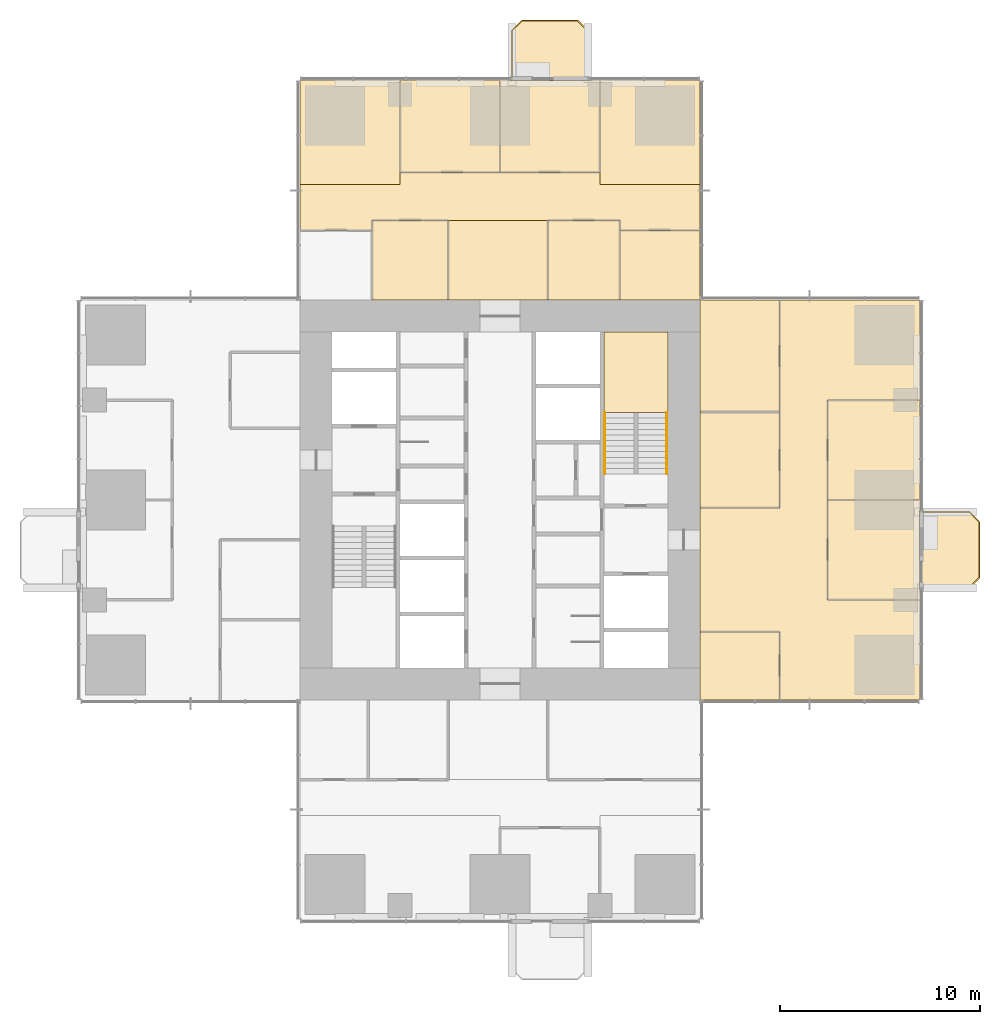
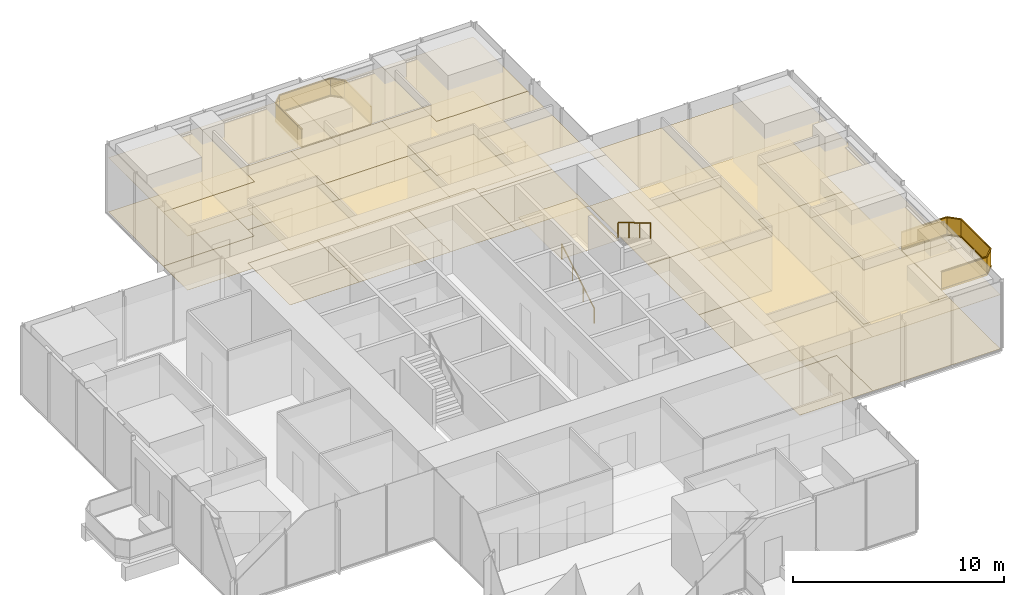
# One storey, part 13 of 14: 33 coverings, 4 railings.
"""IFC4 building model written with IfcOpenShell, lengths in metres."""

from ifc_helpers import new_model, si_unit, direction, frame, origin, origin_2d, place, context, subcontext, project, spatial, polyline, rectangle, circle, outline, extrude, material, layer, layer_set, type_object, element, save


model = new_model("IFC4")

# Units and contexts
model_context = context("Model", 3, precision=1e-05, world=origin(), true_north=direction((0.0, 1.0)))
body_context = subcontext(model_context, "Body", "Model", "MODEL_VIEW")
ifc_project = project(units=[si_unit("LENGTHUNIT", "METRE"), si_unit("AREAUNIT", "SQUARE_METRE"), si_unit("VOLUMEUNIT", "CUBIC_METRE"), si_unit("PLANEANGLEUNIT", "RADIAN"), si_unit("MASSUNIT", "GRAM", prefix="KILO")], contexts=[model_context])

# Site, building, storey
site_placement = place(None, origin())
site = spatial("IfcSite", under=ifc_project, at=site_placement, CompositionType="ELEMENT")
building_placement = place(site_placement, origin())
building = spatial("IfcBuilding", under=site, at=building_placement, Name="Svetlomir Tower", CompositionType="ELEMENT")
storey_placement = place(building_placement, frame((0.0, 0.0, 104.5)))
storey = spatial("IfcBuildingStorey", under=building, at=storey_placement, Name="L24", CompositionType="ELEMENT", Elevation=104.5)

# Railings
ifc_material_1 = material(Name="Bronze anodised aluminium and laminated glass", Category="aluminium")
railing_type_1 = type_object("IfcRailingType", Name="BALCONY GUARD GR1 1100", PredefinedType="GUARDRAIL", material=ifc_material_1)
railing_1_placement = place(storey_placement, frame((42.0, 16.60009765625, 0.0)))
element("IfcRailing", 1, at=railing_1_placement, inside=storey, type_object=railing_type_1, Name="Balcony guard E L24", PredefinedType="GUARDRAIL", context=body_context, shape_type="SweptSolid", body=[
    extrude(rectangle(XDim=0.06005859375, YDim=0.10009765625, at=origin_2d()), frame((0.0, 0.0, 0.050048828125), z_axis=(1.0, 0.0, 0.0), x_axis=(0.0, 1.0, 0.0)), (0.0, 0.0, 1.0), 2.5),
    extrude(rectangle(XDim=0.021484375, YDim=0.960205078125, at=origin_2d()), frame((0.0, 0.0, 0.580078125), z_axis=(1.0, 0.0, 0.0), x_axis=(0.0, 1.0, 0.0)), (0.0, 0.0, 1.0), 2.5),
    extrude(rectangle(XDim=0.06005859375, YDim=0.0400390625, at=origin_2d()), frame((0.0, 0.0, 1.080078125), z_axis=(1.0, 0.0, 0.0), x_axis=(0.0, 1.0, 0.0)), (0.0, 0.0, 1.0), 2.5),
    extrude(rectangle(XDim=0.06005859375, YDim=0.10009765625, at=origin_2d()), frame((2.5, 0.0, 0.050048828125), z_axis=(0.707106781187, 0.707106781187, 0.0), x_axis=(-0.707106781187, 0.707106781187, 0.0)), (0.0, 0.0, 1.0), 0.70703125),
    extrude(rectangle(XDim=0.021484375, YDim=0.960205078125, at=origin_2d()), frame((2.5, 0.0, 0.580078125), z_axis=(0.707106781187, 0.707106781187, 0.0), x_axis=(-0.707106781187, 0.707106781187, 0.0)), (0.0, 0.0, 1.0), 0.70703125),
    extrude(rectangle(XDim=0.06005859375, YDim=0.0400390625, at=origin_2d()), frame((2.5, 0.0, 1.080078125), z_axis=(0.707106781187, 0.707106781187, 0.0), x_axis=(-0.707106781187, 0.707106781187, 0.0)), (0.0, 0.0, 1.0), 0.70703125),
    extrude(rectangle(XDim=0.06005859375, YDim=0.10009765625, at=origin_2d()), frame((3.0, 0.5, 0.050048828125), z_axis=(0.0, 1.0, 0.0), x_axis=(-1.0, 0.0, 0.0)), (0.0, 0.0, 1.0), 2.7998046875),
    extrude(rectangle(XDim=0.021484375, YDim=0.960205078125, at=origin_2d()), frame((3.0, 0.5, 0.580078125), z_axis=(0.0, 1.0, 0.0), x_axis=(-1.0, 0.0, 0.0)), (0.0, 0.0, 1.0), 2.7998046875),
    extrude(rectangle(XDim=0.06005859375, YDim=0.0400390625, at=origin_2d()), frame((3.0, 0.5, 1.080078125), z_axis=(0.0, 1.0, 0.0), x_axis=(-1.0, 0.0, 0.0)), (0.0, 0.0, 1.0), 2.7998046875),
    extrude(rectangle(XDim=0.06005859375, YDim=0.10009765625, at=origin_2d()), frame((3.0, 3.2998046875, 0.050048828125), z_axis=(-0.707106781187, 0.707106781187, 0.0), x_axis=(-0.707106781187, -0.707106781187, 0.0)), (0.0, 0.0, 1.0), 0.70703125),
    extrude(rectangle(XDim=0.021484375, YDim=0.960205078125, at=origin_2d()), frame((3.0, 3.2998046875, 0.580078125), z_axis=(-0.707106781187, 0.707106781187, 0.0), x_axis=(-0.707106781187, -0.707106781187, 0.0)), (0.0, 0.0, 1.0), 0.70703125),
    extrude(rectangle(XDim=0.06005859375, YDim=0.0400390625, at=origin_2d()), frame((3.0, 3.2998046875, 1.080078125), z_axis=(-0.707106781187, 0.707106781187, 0.0), x_axis=(-0.707106781187, -0.707106781187, 0.0)), (0.0, 0.0, 1.0), 0.70703125),
    extrude(rectangle(XDim=0.06005859375, YDim=0.10009765625, at=origin_2d()), frame((2.5, 3.7998046875, 0.050048828125), z_axis=(-1.0, 0.0, 0.0), x_axis=(0.0, -1.0, 0.0)), (0.0, 0.0, 1.0), 2.5),
    extrude(rectangle(XDim=0.021484375, YDim=0.960205078125, at=origin_2d()), frame((2.5, 3.7998046875, 0.580078125), z_axis=(-1.0, 0.0, 0.0), x_axis=(0.0, -1.0, 0.0)), (0.0, 0.0, 1.0), 2.5),
    extrude(rectangle(XDim=0.06005859375, YDim=0.0400390625, at=origin_2d()), frame((2.5, 3.7998046875, 1.080078125), z_axis=(-1.0, 0.0, 0.0), x_axis=(0.0, -1.0, 0.0)), (0.0, 0.0, 1.0), 2.5),
])
railing_2_placement = place(storey_placement, frame((25.39990234375, 42.0, 0.0)))
element("IfcRailing", 2, at=railing_2_placement, inside=storey, type_object=railing_type_1, Name="Balcony guard N L24", PredefinedType="GUARDRAIL", context=body_context, shape_type="SweptSolid", body=[
    extrude(rectangle(XDim=0.06005859375, YDim=0.10009765625, at=origin_2d()), frame((0.0, 0.0, 0.050048828125), z_axis=(0.0, 1.0, 0.0), x_axis=(-1.0, 0.0, 0.0)), (0.0, 0.0, 1.0), 2.5),
    extrude(rectangle(XDim=0.021484375, YDim=0.960205078125, at=origin_2d()), frame((0.0, 0.0, 0.580078125), z_axis=(0.0, 1.0, 0.0), x_axis=(-1.0, 0.0, 0.0)), (0.0, 0.0, 1.0), 2.5),
    extrude(rectangle(XDim=0.06005859375, YDim=0.0400390625, at=origin_2d()), frame((0.0, 0.0, 1.080078125), z_axis=(0.0, 1.0, 0.0), x_axis=(-1.0, 0.0, 0.0)), (0.0, 0.0, 1.0), 2.5),
    extrude(rectangle(XDim=0.06005859375, YDim=0.10009765625, at=origin_2d()), frame((0.0, 2.5, 0.050048828125), z_axis=(-0.707106781187, 0.707106781187, 0.0), x_axis=(-0.707106781187, -0.707106781187, 0.0)), (0.0, 0.0, 1.0), 0.70703125),
    extrude(rectangle(XDim=0.021484375, YDim=0.960205078125, at=origin_2d()), frame((0.0, 2.5, 0.580078125), z_axis=(-0.707106781187, 0.707106781187, 0.0), x_axis=(-0.707106781187, -0.707106781187, 0.0)), (0.0, 0.0, 1.0), 0.70703125),
    extrude(rectangle(XDim=0.06005859375, YDim=0.0400390625, at=origin_2d()), frame((0.0, 2.5, 1.080078125), z_axis=(-0.707106781187, 0.707106781187, 0.0), x_axis=(-0.707106781187, -0.707106781187, 0.0)), (0.0, 0.0, 1.0), 0.70703125),
    extrude(rectangle(XDim=0.06005859375, YDim=0.10009765625, at=origin_2d()), frame((-0.5, 3.0, 0.050048828125), z_axis=(-1.0, 0.0, 0.0), x_axis=(0.0, -1.0, 0.0)), (0.0, 0.0, 1.0), 2.7998046875),
    extrude(rectangle(XDim=0.021484375, YDim=0.960205078125, at=origin_2d()), frame((-0.5, 3.0, 0.580078125), z_axis=(-1.0, 0.0, 0.0), x_axis=(0.0, -1.0, 0.0)), (0.0, 0.0, 1.0), 2.7998046875),
    extrude(rectangle(XDim=0.06005859375, YDim=0.0400390625, at=origin_2d()), frame((-0.5, 3.0, 1.080078125), z_axis=(-1.0, 0.0, 0.0), x_axis=(0.0, -1.0, 0.0)), (0.0, 0.0, 1.0), 2.7998046875),
    extrude(rectangle(XDim=0.06005859375, YDim=0.10009765625, at=origin_2d()), frame((-3.2998046875, 3.0, 0.050048828125), z_axis=(-0.707106781187, -0.707106781187, 0.0), x_axis=(0.707106781187, -0.707106781187, 0.0)), (0.0, 0.0, 1.0), 0.70703125),
    extrude(rectangle(XDim=0.021484375, YDim=0.960205078125, at=origin_2d()), frame((-3.2998046875, 3.0, 0.580078125), z_axis=(-0.707106781187, -0.707106781187, 0.0), x_axis=(0.707106781187, -0.707106781187, 0.0)), (0.0, 0.0, 1.0), 0.70703125),
    extrude(rectangle(XDim=0.06005859375, YDim=0.0400390625, at=origin_2d()), frame((-3.2998046875, 3.0, 1.080078125), z_axis=(-0.707106781187, -0.707106781187, 0.0), x_axis=(0.707106781187, -0.707106781187, 0.0)), (0.0, 0.0, 1.0), 0.70703125),
    extrude(rectangle(XDim=0.06005859375, YDim=0.10009765625, at=origin_2d()), frame((-3.7998046875, 2.5, 0.050048828125), z_axis=(0.0, -1.0, 0.0), x_axis=(1.0, 0.0, 0.0)), (0.0, 0.0, 1.0), 2.5),
    extrude(rectangle(XDim=0.021484375, YDim=0.960205078125, at=origin_2d()), frame((-3.7998046875, 2.5, 0.580078125), z_axis=(0.0, -1.0, 0.0), x_axis=(1.0, 0.0, 0.0)), (0.0, 0.0, 1.0), 2.5),
    extrude(rectangle(XDim=0.06005859375, YDim=0.0400390625, at=origin_2d()), frame((-3.7998046875, 2.5, 1.080078125), z_axis=(0.0, -1.0, 0.0), x_axis=(1.0, 0.0, 0.0)), (0.0, 0.0, 1.0), 2.5),
])

# Coverings
ifc_material_2 = material(Name="Granite paving slabs on pedestals", Category="masonry")
ifc_layer_1 = layer(ifc_material_2, 0.0400390625)
ifc_layer_set_1 = layer_set([ifc_layer_1], Name="Granite paving slabs on pedestals")
covering_type_1 = type_object("IfcCoveringType", Name="BALCONY PAVING 40", PredefinedType="USERDEFINED", material=ifc_layer_set_1)
covering_1_placement = place(storey_placement, origin())
element("IfcCovering", 3, at=covering_1_placement, inside=storey, type_object=covering_type_1, Name="Balcony paving E L24", ObjectType="BALCONY PAVING", PredefinedType="USERDEFINED", context=body_context, shape_type="SweptSolid", body=[
    extrude(outline(polyline([(42.0, 16.60009765625), (44.5, 16.60009765625), (45.0, 17.10009765625), (45.0, 19.89990234375), (44.5, 20.39990234375), (42.0, 20.39990234375), (42.0, 16.60009765625)])), origin(), (0.0, 0.0, 1.0), 0.0400390625),
])
covering_2_placement = place(storey_placement, origin())
element("IfcCovering", 4, at=covering_2_placement, inside=storey, type_object=covering_type_1, Name="Balcony paving N L24", ObjectType="BALCONY PAVING", PredefinedType="USERDEFINED", context=body_context, shape_type="SweptSolid", body=[
    extrude(outline(polyline([(21.60009765625, 42.0), (25.39990234375, 42.0), (25.39990234375, 44.5), (24.89990234375, 45.0), (22.10009765625, 45.0), (21.60009765625, 44.5), (21.60009765625, 42.0)])), origin(), (0.0, 0.0, 1.0), 0.0400390625),
])
ifc_material_3 = material(Name="Carpet tile", Category="textile")
ifc_layer_2 = layer(ifc_material_3, 0.010009765625)
ifc_layer_set_2 = layer_set([ifc_layer_2], Name="Carpet tile")
covering_type_2 = type_object("IfcCoveringType", Name="CARPET TILE FLOOR 10", PredefinedType="FLOORING", material=ifc_layer_set_2)
covering_3_placement = place(storey_placement, origin())
element("IfcCovering", 5, at=covering_3_placement, inside=storey, type_object=covering_type_2, Name="Floor finish L24-19", PredefinedType="FLOORING", context=body_context, shape_type="SweptSolid", body=[
    extrude(outline(polyline([(31.0, 11.0), (35.0, 11.0), (35.0, 14.39990234375), (31.0, 14.39990234375), (31.0, 11.0)])), origin(), (0.0, 0.0, 1.0), 0.010009765625),
])
covering_4_placement = place(storey_placement, origin())
element("IfcCovering", 6, at=covering_4_placement, inside=storey, type_object=covering_type_2, Name="Floor finish L24-20", PredefinedType="FLOORING", context=body_context, shape_type="SweptSolid", body=[
    extrude(outline(polyline([(31.0, 20.60009765625), (35.0, 20.60009765625), (35.0, 25.39990234375), (31.0, 25.39990234375), (31.0, 20.60009765625)])), origin(), (0.0, 0.0, 1.0), 0.010009765625),
])
covering_5_placement = place(storey_placement, origin())
element("IfcCovering", 7, at=covering_5_placement, inside=storey, type_object=covering_type_2, Name="Floor finish L24-21", PredefinedType="FLOORING", context=body_context, shape_type="SweptSolid", body=[
    extrude(outline(polyline([(31.0, 25.39990234375), (35.0, 25.39990234375), (35.0, 31.0), (31.0, 31.0), (31.0, 25.39990234375)])), origin(), (0.0, 0.0, 1.0), 0.010009765625),
])
covering_6_placement = place(storey_placement, origin())
element("IfcCovering", 8, at=covering_6_placement, inside=storey, type_object=covering_type_2, Name="Floor finish L24-22", PredefinedType="FLOORING", context=body_context, shape_type="SweptSolid", body=[
    extrude(outline(polyline([(37.39990234375, 16.0), (42.0, 16.0), (42.0, 21.0), (37.39990234375, 21.0), (37.39990234375, 16.0)])), origin(), (0.0, 0.0, 1.0), 0.010009765625),
])
covering_7_placement = place(storey_placement, origin())
element("IfcCovering", 9, at=covering_7_placement, inside=storey, type_object=covering_type_2, Name="Floor finish L24-23", PredefinedType="FLOORING", context=body_context, shape_type="SweptSolid", body=[
    extrude(outline(polyline([(37.39990234375, 21.0), (42.0, 21.0), (42.0, 26.0), (37.39990234375, 26.0), (37.39990234375, 21.0)])), origin(), (0.0, 0.0, 1.0), 0.010009765625),
])
covering_8_placement = place(storey_placement, origin())
element("IfcCovering", 10, at=covering_8_placement, inside=storey, type_object=covering_type_2, Name="Floor finish L24-25", PredefinedType="FLOORING", context=body_context, shape_type="SweptSolid", body=[
    extrude(outline(polyline([(14.60009765625, 31.0), (18.39990234375, 31.0), (18.39990234375, 35.0), (14.60009765625, 35.0), (14.60009765625, 31.0)])), origin(), (0.0, 0.0, 1.0), 0.010009765625),
])
covering_9_placement = place(storey_placement, origin())
element("IfcCovering", 11, at=covering_9_placement, inside=storey, type_object=covering_type_2, Name="Floor finish L24-26", PredefinedType="FLOORING", context=body_context, shape_type="SweptSolid", body=[
    extrude(outline(polyline([(23.39990234375, 31.0), (27.0, 31.0), (27.0, 35.0), (23.39990234375, 35.0), (23.39990234375, 31.0)])), origin(), (0.0, 0.0, 1.0), 0.010009765625),
])
covering_10_placement = place(storey_placement, origin())
element("IfcCovering", 12, at=covering_10_placement, inside=storey, type_object=covering_type_2, Name="Floor finish L24-27", PredefinedType="FLOORING", context=body_context, shape_type="SweptSolid", body=[
    extrude(outline(polyline([(27.0, 31.0), (31.0, 31.0), (31.0, 34.5), (27.0, 34.5), (27.0, 31.0)])), origin(), (0.0, 0.0, 1.0), 0.010009765625),
])
covering_11_placement = place(storey_placement, origin())
element("IfcCovering", 13, at=covering_11_placement, inside=storey, type_object=covering_type_2, Name="Floor finish L24-28", PredefinedType="FLOORING", context=body_context, shape_type="SweptSolid", body=[
    extrude(outline(polyline([(16.0, 37.39990234375), (21.0, 37.39990234375), (21.0, 42.0), (16.0, 42.0), (16.0, 37.39990234375)])), origin(), (0.0, 0.0, 1.0), 0.010009765625),
])
covering_12_placement = place(storey_placement, origin())
element("IfcCovering", 14, at=covering_12_placement, inside=storey, type_object=covering_type_2, Name="Floor finish L24-29", PredefinedType="FLOORING", context=body_context, shape_type="SweptSolid", body=[
    extrude(outline(polyline([(21.0, 37.39990234375), (26.0, 37.39990234375), (26.0, 42.0), (21.0, 42.0), (21.0, 37.39990234375)])), origin(), (0.0, 0.0, 1.0), 0.010009765625),
])
covering_13_placement = place(storey_placement, origin())
element("IfcCovering", 15, at=covering_13_placement, inside=storey, type_object=covering_type_2, Name="Floor finish L24-36", PredefinedType="FLOORING", context=body_context, shape_type="SweptSolid", body=[
    extrude(outline(polyline([(14.60009765625, 34.5), (11.0, 34.5), (11.0, 36.800048828125), (16.0, 36.800048828125), (16.0, 37.39990234375), (26.0, 37.39990234375), (26.0, 36.800048828125), (31.0, 36.800048828125), (31.0, 34.5), (27.0, 34.5), (27.0, 35.0), (14.60009765625, 35.0), (14.60009765625, 34.5)])), origin(), (0.0, 0.0, 1.0), 0.010009765625),
])
covering_14_placement = place(storey_placement, origin())
element("IfcCovering", 16, at=covering_14_placement, inside=storey, type_object=covering_type_2, Name="Floor finish L24-40", PredefinedType="FLOORING", context=body_context, shape_type="SweptSolid", body=[
    extrude(outline(polyline([(35.0, 14.39990234375), (31.0, 14.39990234375), (31.0, 20.60009765625), (35.0, 20.60009765625), (35.0, 31.0), (42.0, 31.0), (42.0, 26.0), (37.39990234375, 26.0), (37.39990234375, 16.0), (42.0, 16.0), (42.0, 11.0), (35.0, 11.0), (35.0, 14.39990234375)])), origin(), (0.0, 0.0, 1.0), 0.010009765625),
])
covering_15_placement = place(storey_placement, origin())
element("IfcCovering", 17, at=covering_15_placement, inside=storey, type_object=covering_type_2, Name="Floor finish L24-41", PredefinedType="FLOORING", context=body_context, shape_type="SweptSolid", body=[
    extrude(outline(polyline([(26.0, 36.800048828125), (26.0, 42.0), (31.0, 42.0), (31.0, 36.800048828125), (26.0, 36.800048828125)])), origin(), (0.0, 0.0, 1.0), 0.010009765625),
])
covering_16_placement = place(storey_placement, origin())
element("IfcCovering", 18, at=covering_16_placement, inside=storey, type_object=covering_type_2, Name="Floor finish L24-42", PredefinedType="FLOORING", context=body_context, shape_type="SweptSolid", body=[
    extrude(outline(polyline([(18.39990234375, 31.0), (18.39990234375, 35.0), (23.39990234375, 35.0), (23.39990234375, 31.0), (18.39990234375, 31.0)])), origin(), (0.0, 0.0, 1.0), 0.010009765625),
])
covering_17_placement = place(storey_placement, origin())
element("IfcCovering", 19, at=covering_17_placement, inside=storey, type_object=covering_type_2, Name="Floor finish L24-43", PredefinedType="FLOORING", context=body_context, shape_type="SweptSolid", body=[
    extrude(outline(polyline([(16.0, 42.0), (16.0, 36.800048828125), (11.0, 36.800048828125), (11.0, 42.0), (16.0, 42.0)])), origin(), (0.0, 0.0, 1.0), 0.010009765625),
])

# Railings
ifc_material_4 = material(Name="Stainless steel", Category="steel")
railing_type_2 = type_object("IfcRailingType", Name="HANDRAIL HR1 900", PredefinedType="HANDRAIL", material=ifc_material_4)
railing_3_placement = place(storey_placement, frame((26.25, 22.300048828125, 0.166748046875)))
element("IfcRailing", 20, at=railing_3_placement, inside=storey, type_object=railing_type_2, Name="Handrail S2 flight 1 L24", PredefinedType="HANDRAIL", context=body_context, shape_type="SweptSolid", body=[
    extrude(circle(Radius=0.02392578125, at=origin_2d()), frame((0.0, 0.0, 0.8759765625), z_axis=(0.0, 0.859290745958, 0.51148745235), x_axis=(-1.0, 0.0, 0.0)), (0.0, 0.0, 1.0), 3.584228515625),
    extrude(circle(Radius=0.02099609375, at=origin_2d()), origin(), (0.0, 0.0, 1.0), 0.851806640625),
    extrude(circle(Radius=0.02099609375, at=origin_2d()), frame((0.0, 1.026611328125, 0.611083984375)), (0.0, 0.0, 1.0), 0.851806640625),
    extrude(circle(Radius=0.02099609375, at=origin_2d()), frame((0.0, 2.05322265625, 1.22216796875)), (0.0, 0.0, 1.0), 0.851806640625),
    extrude(circle(Radius=0.02099609375, at=origin_2d()), frame((0.0, 3.079833984375, 1.833251953125)), (0.0, 0.0, 1.0), 0.851806640625),
])
railing_4_placement = place(storey_placement, frame((29.35009765625, 25.3798828125, 2.166748046875)))
element("IfcRailing", 21, at=railing_4_placement, inside=storey, type_object=railing_type_2, Name="Handrail S2 flight 2 L24", PredefinedType="HANDRAIL", context=body_context, shape_type="SweptSolid", body=[
    extrude(circle(Radius=0.02392578125, at=origin_2d()), frame((0.0, 0.0, 0.8759765625), z_axis=(0.0, -0.859290745958, 0.51148745235), x_axis=(1.0, 0.0, 0.0)), (0.0, 0.0, 1.0), 3.584228515625),
    extrude(circle(Radius=0.02099609375, at=origin_2d()), origin(), (0.0, 0.0, 1.0), 0.851806640625),
    extrude(circle(Radius=0.02099609375, at=origin_2d()), frame((0.0, -1.026611328125, 0.611083984375)), (0.0, 0.0, 1.0), 0.851806640625),
    extrude(circle(Radius=0.02099609375, at=origin_2d()), frame((0.0, -2.05322265625, 1.22216796875)), (0.0, 0.0, 1.0), 0.851806640625),
    extrude(circle(Radius=0.02099609375, at=origin_2d()), frame((0.0, -3.079833984375, 1.833251953125)), (0.0, 0.0, 1.0), 0.851806640625),
])

# Coverings
ifc_material_5 = material(Name="Studded rubber floor finish", Category="rubber")
ifc_layer_3 = layer(ifc_material_5, 0.006103515625)
ifc_layer_set_3 = layer_set([ifc_layer_3], Name="Studded rubber floor finish")
covering_type_3 = type_object("IfcCoveringType", Name="RUBBER LANDING FINISH 6", PredefinedType="FLOORING", material=ifc_layer_set_3)
covering_18_placement = place(storey_placement, frame((0.0, 0.0, 2.0)))
element("IfcCovering", 22, at=covering_18_placement, inside=storey, type_object=covering_type_3, Name="Stair S2 landing finish L24", PredefinedType="FLOORING", context=body_context, shape_type="SweptSolid", body=[
    extrude(outline(polyline([(26.199951171875, 25.3798828125), (29.39990234375, 25.3798828125), (29.39990234375, 29.39990234375), (26.199951171875, 29.39990234375), (26.199951171875, 25.3798828125)])), origin(), (0.0, 0.0, 1.0), 0.006103515625),
])
ifc_material_6 = material(Name="Mineral fibre ceiling tile", Category="mineral")
ifc_layer_4 = layer(ifc_material_6, 0.02001953125)
ifc_layer_set_4 = layer_set([ifc_layer_4], Name="Mineral fibre ceiling tile")
covering_type_4 = type_object("IfcCoveringType", Name="SUSPENDED CEILING 20", PredefinedType="CEILING", material=ifc_layer_set_4)
covering_19_placement = place(storey_placement, frame((0.0, 0.0, 3.1298828125)))
element("IfcCovering", 23, at=covering_19_placement, inside=storey, type_object=covering_type_4, Name="Ceiling L24-19", PredefinedType="CEILING", context=body_context, shape_type="SweptSolid", body=[
    extrude(outline(polyline([(31.0, 11.0), (35.0, 11.0), (35.0, 14.39990234375), (31.0, 14.39990234375), (31.0, 11.0)])), origin(), (0.0, 0.0, 1.0), 0.02001953125),
])
covering_20_placement = place(storey_placement, frame((0.0, 0.0, 3.1298828125)))
element("IfcCovering", 24, at=covering_20_placement, inside=storey, type_object=covering_type_4, Name="Ceiling L24-20", PredefinedType="CEILING", context=body_context, shape_type="SweptSolid", body=[
    extrude(outline(polyline([(31.0, 20.60009765625), (35.0, 20.60009765625), (35.0, 25.39990234375), (31.0, 25.39990234375), (31.0, 20.60009765625)])), origin(), (0.0, 0.0, 1.0), 0.02001953125),
])
covering_21_placement = place(storey_placement, frame((0.0, 0.0, 3.1298828125)))
element("IfcCovering", 25, at=covering_21_placement, inside=storey, type_object=covering_type_4, Name="Ceiling L24-21", PredefinedType="CEILING", context=body_context, shape_type="SweptSolid", body=[
    extrude(outline(polyline([(31.0, 25.39990234375), (35.0, 25.39990234375), (35.0, 31.0), (31.0, 31.0), (31.0, 25.39990234375)])), origin(), (0.0, 0.0, 1.0), 0.02001953125),
])
covering_22_placement = place(storey_placement, frame((0.0, 0.0, 3.1298828125)))
element("IfcCovering", 26, at=covering_22_placement, inside=storey, type_object=covering_type_4, Name="Ceiling L24-22", PredefinedType="CEILING", context=body_context, shape_type="SweptSolid", body=[
    extrude(outline(polyline([(37.39990234375, 16.0), (42.0, 16.0), (42.0, 21.0), (37.39990234375, 21.0), (37.39990234375, 16.0)])), origin(), (0.0, 0.0, 1.0), 0.02001953125),
])
covering_23_placement = place(storey_placement, frame((0.0, 0.0, 3.1298828125)))
element("IfcCovering", 27, at=covering_23_placement, inside=storey, type_object=covering_type_4, Name="Ceiling L24-23", PredefinedType="CEILING", context=body_context, shape_type="SweptSolid", body=[
    extrude(outline(polyline([(37.39990234375, 21.0), (42.0, 21.0), (42.0, 26.0), (37.39990234375, 26.0), (37.39990234375, 21.0)])), origin(), (0.0, 0.0, 1.0), 0.02001953125),
])
covering_24_placement = place(storey_placement, frame((0.0, 0.0, 3.1298828125)))
element("IfcCovering", 28, at=covering_24_placement, inside=storey, type_object=covering_type_4, Name="Ceiling L24-25", PredefinedType="CEILING", context=body_context, shape_type="SweptSolid", body=[
    extrude(outline(polyline([(14.60009765625, 31.0), (18.39990234375, 31.0), (18.39990234375, 35.0), (14.60009765625, 35.0), (14.60009765625, 31.0)])), origin(), (0.0, 0.0, 1.0), 0.02001953125),
])
covering_25_placement = place(storey_placement, frame((0.0, 0.0, 3.1298828125)))
element("IfcCovering", 29, at=covering_25_placement, inside=storey, type_object=covering_type_4, Name="Ceiling L24-26", PredefinedType="CEILING", context=body_context, shape_type="SweptSolid", body=[
    extrude(outline(polyline([(23.39990234375, 31.0), (27.0, 31.0), (27.0, 35.0), (23.39990234375, 35.0), (23.39990234375, 31.0)])), origin(), (0.0, 0.0, 1.0), 0.02001953125),
])
covering_26_placement = place(storey_placement, frame((0.0, 0.0, 3.1298828125)))
element("IfcCovering", 30, at=covering_26_placement, inside=storey, type_object=covering_type_4, Name="Ceiling L24-27", PredefinedType="CEILING", context=body_context, shape_type="SweptSolid", body=[
    extrude(outline(polyline([(27.0, 31.0), (31.0, 31.0), (31.0, 34.5), (27.0, 34.5), (27.0, 31.0)])), origin(), (0.0, 0.0, 1.0), 0.02001953125),
])
covering_27_placement = place(storey_placement, frame((0.0, 0.0, 3.1298828125)))
element("IfcCovering", 31, at=covering_27_placement, inside=storey, type_object=covering_type_4, Name="Ceiling L24-28", PredefinedType="CEILING", context=body_context, shape_type="SweptSolid", body=[
    extrude(outline(polyline([(16.0, 37.39990234375), (21.0, 37.39990234375), (21.0, 42.0), (16.0, 42.0), (16.0, 37.39990234375)])), origin(), (0.0, 0.0, 1.0), 0.02001953125),
])
covering_28_placement = place(storey_placement, frame((0.0, 0.0, 3.1298828125)))
element("IfcCovering", 32, at=covering_28_placement, inside=storey, type_object=covering_type_4, Name="Ceiling L24-29", PredefinedType="CEILING", context=body_context, shape_type="SweptSolid", body=[
    extrude(outline(polyline([(21.0, 37.39990234375), (26.0, 37.39990234375), (26.0, 42.0), (21.0, 42.0), (21.0, 37.39990234375)])), origin(), (0.0, 0.0, 1.0), 0.02001953125),
])
covering_29_placement = place(storey_placement, frame((0.0, 0.0, 3.1298828125)))
element("IfcCovering", 33, at=covering_29_placement, inside=storey, type_object=covering_type_4, Name="Ceiling L24-36", PredefinedType="CEILING", context=body_context, shape_type="SweptSolid", body=[
    extrude(outline(polyline([(14.60009765625, 34.5), (11.0, 34.5), (11.0, 36.800048828125), (16.0, 36.800048828125), (16.0, 37.39990234375), (26.0, 37.39990234375), (26.0, 36.800048828125), (31.0, 36.800048828125), (31.0, 34.5), (27.0, 34.5), (27.0, 35.0), (14.60009765625, 35.0), (14.60009765625, 34.5)])), origin(), (0.0, 0.0, 1.0), 0.02001953125),
])
covering_30_placement = place(storey_placement, frame((0.0, 0.0, 3.1298828125)))
element("IfcCovering", 34, at=covering_30_placement, inside=storey, type_object=covering_type_4, Name="Ceiling L24-40", PredefinedType="CEILING", context=body_context, shape_type="SweptSolid", body=[
    extrude(outline(polyline([(35.0, 14.39990234375), (31.0, 14.39990234375), (31.0, 20.60009765625), (35.0, 20.60009765625), (35.0, 31.0), (42.0, 31.0), (42.0, 26.0), (37.39990234375, 26.0), (37.39990234375, 16.0), (42.0, 16.0), (42.0, 11.0), (35.0, 11.0), (35.0, 14.39990234375)])), origin(), (0.0, 0.0, 1.0), 0.02001953125),
])
covering_31_placement = place(storey_placement, frame((0.0, 0.0, 3.1298828125)))
element("IfcCovering", 35, at=covering_31_placement, inside=storey, type_object=covering_type_4, Name="Ceiling L24-41", PredefinedType="CEILING", context=body_context, shape_type="SweptSolid", body=[
    extrude(outline(polyline([(26.0, 36.800048828125), (26.0, 42.0), (31.0, 42.0), (31.0, 36.800048828125), (26.0, 36.800048828125)])), origin(), (0.0, 0.0, 1.0), 0.02001953125),
])
covering_32_placement = place(storey_placement, frame((0.0, 0.0, 3.1298828125)))
element("IfcCovering", 36, at=covering_32_placement, inside=storey, type_object=covering_type_4, Name="Ceiling L24-42", PredefinedType="CEILING", context=body_context, shape_type="SweptSolid", body=[
    extrude(outline(polyline([(18.39990234375, 31.0), (18.39990234375, 35.0), (23.39990234375, 35.0), (23.39990234375, 31.0), (18.39990234375, 31.0)])), origin(), (0.0, 0.0, 1.0), 0.02001953125),
])
covering_33_placement = place(storey_placement, frame((0.0, 0.0, 3.1298828125)))
element("IfcCovering", 37, at=covering_33_placement, inside=storey, type_object=covering_type_4, Name="Ceiling L24-43", PredefinedType="CEILING", context=body_context, shape_type="SweptSolid", body=[
    extrude(outline(polyline([(16.0, 42.0), (16.0, 36.800048828125), (11.0, 36.800048828125), (11.0, 42.0), (16.0, 42.0)])), origin(), (0.0, 0.0, 1.0), 0.02001953125),
])

save(model, "model.ifc")
